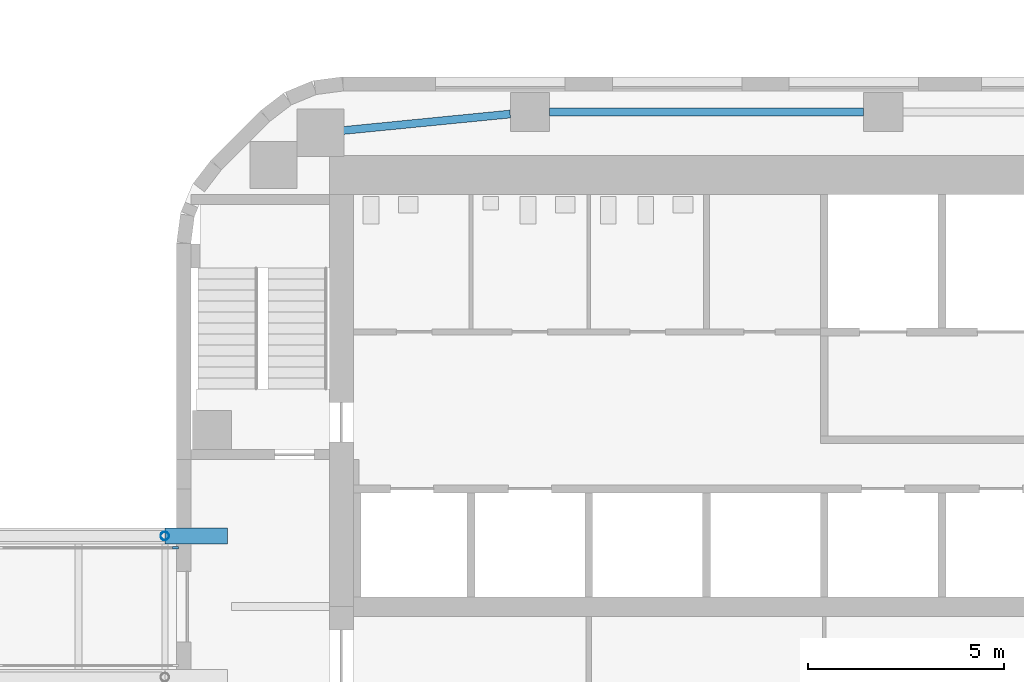
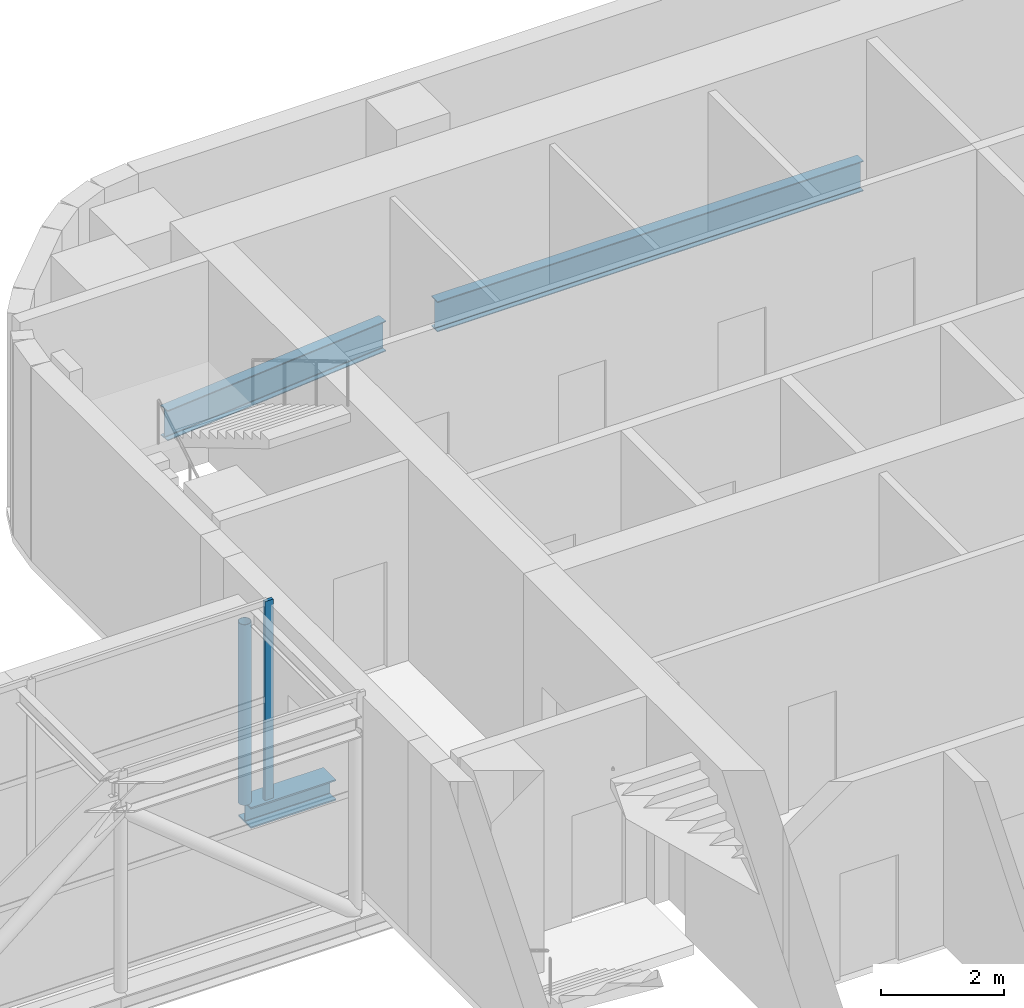
# One storey, part 12 of 24: 3 members, 2 beams, 1 element without a shape of its own.
"""IFC4 building model written with IfcOpenShell, lengths in metres."""

from ifc_helpers import new_model, si_unit, direction, frame, origin, origin_2d, place, context, subcontext, project, spatial, rectangle, hollow_circle, i_section, extrude, material, material_profile, profile_set, type_object, element, aggregate, save


model = new_model("IFC4")

# Units and contexts
model_context = context("Model", 3, precision=1e-05, world=origin(), true_north=direction((0.0, 1.0)))
body_context = subcontext(model_context, "Body", "Model", "MODEL_VIEW")
ifc_project = project(units=[si_unit("LENGTHUNIT", "METRE"), si_unit("AREAUNIT", "SQUARE_METRE"), si_unit("VOLUMEUNIT", "CUBIC_METRE"), si_unit("PLANEANGLEUNIT", "RADIAN"), si_unit("MASSUNIT", "GRAM", prefix="KILO")], contexts=[model_context])

# Site, building, storey
site_placement = place(None, origin())
site = spatial("IfcSite", under=ifc_project, at=site_placement, CompositionType="ELEMENT")
building_placement = place(site_placement, origin())
building = spatial("IfcBuilding", under=site, at=building_placement, Name="Cinnabar Reach Civic Tower", CompositionType="ELEMENT")
storey_placement = place(building_placement, frame((0.0, 0.0, 71.0)))
storey = spatial("IfcBuildingStorey", under=building, at=storey_placement, Name="L16", CompositionType="ELEMENT", Elevation=71.0)

# Curtain wall, member
ifc_material_1 = material(Name="Aluminium and insulated spandrel panels", Category="aluminium")
curtain_wall_type = type_object("IfcCurtainWallType", Name="Bridge 1 enclosure curtain wall", PredefinedType="NOTDEFINED", material=ifc_material_1)
curtain_wall_placement = place(storey_placement, origin())
curtain_wall = element("IfcCurtainWall", 1, at=curtain_wall_placement, inside=storey, type_object=curtain_wall_type, Name="Bridge 1 enclosure 6", PredefinedType="NOTDEFINED")
ifc_material_2 = material(Name="Aluminium", Category="aluminium")
ifc_material_profile_1 = material_profile(ifc_material_2, rectangle(XDim=0.06, YDim=0.16, at=origin_2d()), Name="Bridge 1 enclosure mullion")
ifc_profile_set_1 = profile_set([ifc_material_profile_1], Name="Aluminium")
member_type_1 = type_object("IfcMemberType", Name="Bridge 1 enclosure mullion", PredefinedType="MULLION", material=ifc_profile_set_1)
member_1_placement = place(storey_placement, frame((-0.03, 33.0, 0.0), z_axis=(0.0, 0.0, 1.0), x_axis=(0.0, 1.0, 0.0)))
member_1 = element("IfcMember", 2, at=member_1_placement, type_object=member_type_1, Name="CW-BR1-6 mullion 3", PredefinedType="MULLION", context=body_context, shape_type="SweptSolid", body=[
    extrude(rectangle(XDim=0.06, YDim=0.16, at=origin_2d()), origin(), (0.0, 0.0, 1.0), 3.95),
])
aggregate(curtain_wall, [member_1])

# Member
ifc_material_3 = material(Name="Steel Q355B", Category="steel")
ifc_material_profile_2 = material_profile(ifc_material_3, hollow_circle(Radius=0.1095, WallThickness=0.008, at=origin_2d()), Name="CHS219x8")
ifc_profile_set_2 = profile_set([ifc_material_profile_2], Name="Steel Q355B")
member_type_2 = type_object("IfcMemberType", Name="CHS219x8 bridge post", PredefinedType="POST", material=ifc_profile_set_2)
member_2_placement = place(storey_placement, frame((-0.3, 33.3, -0.15), z_axis=(0.0, 0.0, 1.0), x_axis=(1.0, 0.0, 0.0)))
element("IfcMember", 3, at=member_2_placement, inside=storey, type_object=member_type_2, Name="BR1 truss post", PredefinedType="POST", context=body_context, shape_type="SweptSolid", body=[
    extrude(hollow_circle(Radius=0.1095, WallThickness=0.008, at=origin_2d()), origin(), (0.0, 0.0, 1.0), 3.586),
])

# Beams
ifc_material_profile_3 = material_profile(ifc_material_3, i_section(OverallWidth=0.2, OverallDepth=0.6, WebThickness=0.011, FlangeThickness=0.017, FilletRadius=0.016, at=origin_2d()), Name="HN600x200x11x17")
ifc_profile_set_3 = profile_set([ifc_material_profile_3], Name="Steel Q355B")
beam_type = type_object("IfcBeamType", Name="HN600x200x11x17 beam R 180", PredefinedType="BEAM", material=ifc_profile_set_3)
beam_1_placement = place(storey_placement, frame((17.498, 44.1, -0.45), z_axis=(-1.0, 0.0, 0.0), x_axis=(0.0, -1.0, 0.0)))
element("IfcBeam", 4, at=beam_1_placement, inside=storey, type_object=beam_type, Name="Edge beam T1 L16 18", PredefinedType="BEAM", context=body_context, shape_type="SweptSolid", body=[
    extrude(i_section(OverallWidth=0.2, OverallDepth=0.6, WebThickness=0.011, FlangeThickness=0.017, FilletRadius=0.016, at=origin_2d()), origin(), (0.0, 0.0, 1.0), 7.996),
])
beam_2_placement = place(storey_placement, frame((8.498, 44.0505, -0.45), z_axis=(-0.995166374533, -0.098203294236, 0.0), x_axis=(0.098203294236, -0.995166374533, 0.0)))
element("IfcBeam", 5, at=beam_2_placement, inside=storey, type_object=beam_type, Name="Edge beam T1 L16 19", PredefinedType="BEAM", context=body_context, shape_type="SweptSolid", body=[
    extrude(i_section(OverallWidth=0.2, OverallDepth=0.6, WebThickness=0.011, FlangeThickness=0.017, FilletRadius=0.016, at=origin_2d()), origin(), (0.0, 0.0, 1.0), 4.3705),
])

# Member
ifc_material_profile_4 = material_profile(ifc_material_3, i_section(OverallWidth=0.405, OverallDepth=0.414, WebThickness=0.018, FlangeThickness=0.028, FilletRadius=0.016, at=origin_2d()), Name="HW414x405x18x28")
ifc_profile_set_4 = profile_set([ifc_material_profile_4], Name="Steel Q355B")
member_type_3 = type_object("IfcMemberType", Name="HW414x405x18x28 bridge chord", PredefinedType="CHORD", material=ifc_profile_set_4)
member_3_placement = place(storey_placement, frame((-0.3, 33.3, -0.357), z_axis=(1.0, 0.0, 0.0), x_axis=(0.0, 1.0, 0.0)))
element("IfcMember", 6, at=member_3_placement, inside=storey, type_object=member_type_3, Name="BR1 truss bottom chord", PredefinedType="CHORD", context=body_context, shape_type="SweptSolid", body=[
    extrude(i_section(OverallWidth=0.405, OverallDepth=0.414, WebThickness=0.018, FlangeThickness=0.028, FilletRadius=0.016, at=origin_2d()), origin(), (0.0, 0.0, 1.0), 1.6),
])

save(model, "model.ifc")
